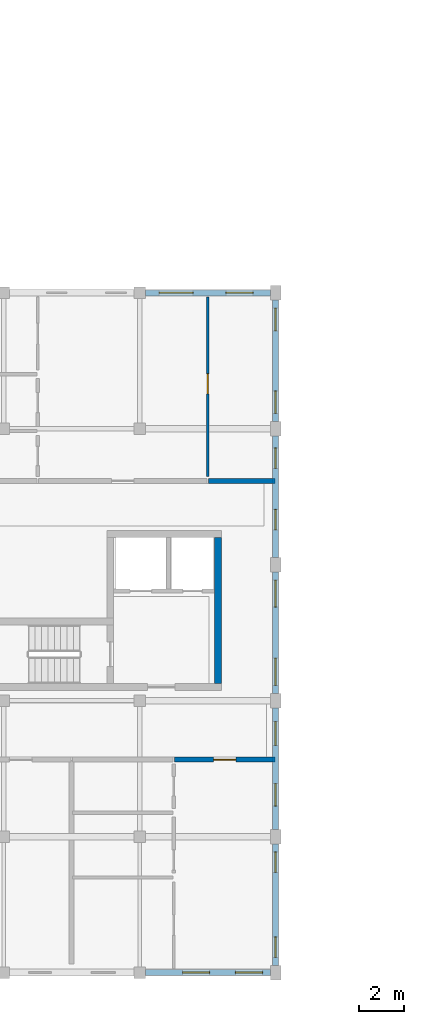
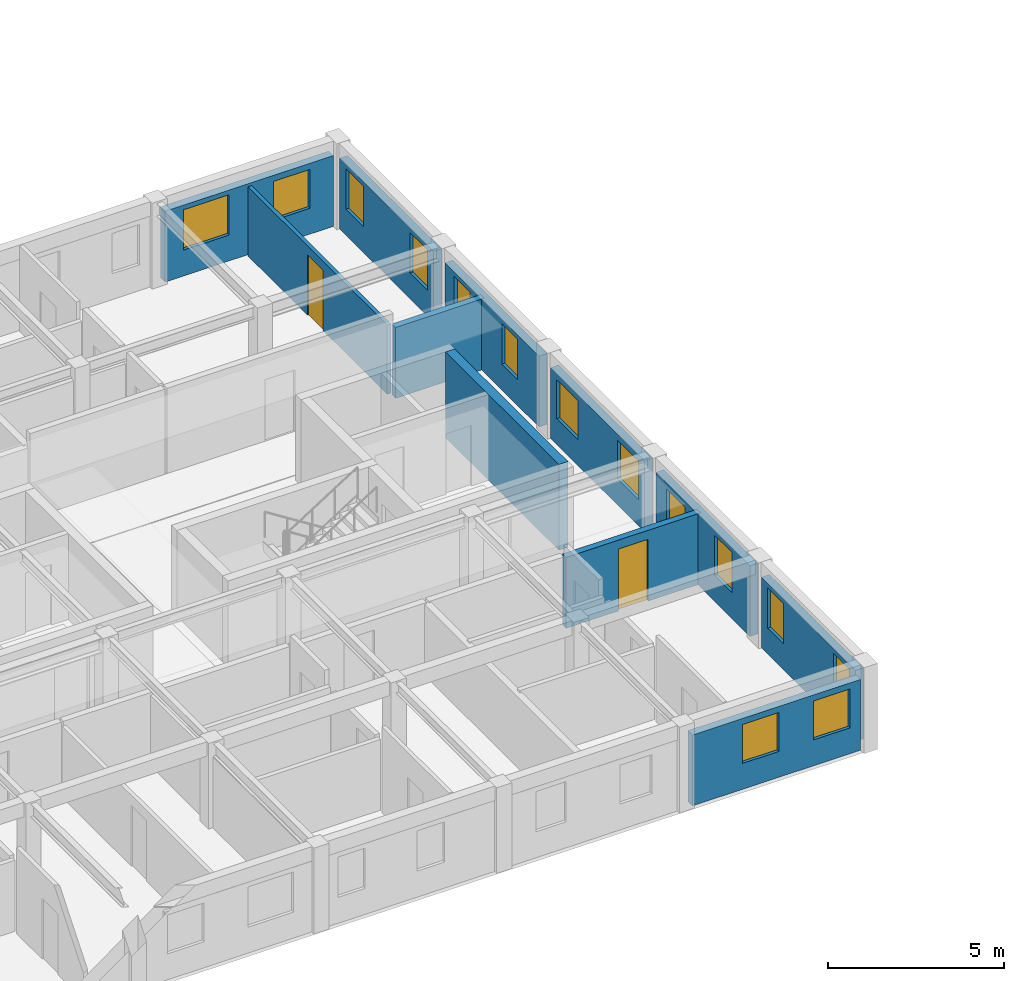
# One storey, part 17 of 23: 14 windows, 11 walls, 2 doors, 16 openings.
"""IFC4 building model written with IfcOpenShell, lengths in metres."""

from ifc_helpers import new_model, si_unit, direction, frame, frame_2d, origin, place, context, subcontext, project, spatial, rectangle, extrude, material, layer, layer_set, type_object, element, fill, save


model = new_model("IFC4")

# Units and contexts
model_context = context("Model", 3, precision=1e-05, world=origin(), true_north=direction((0.0, 1.0)))
body_context = subcontext(model_context, "Body", "Model", "MODEL_VIEW")
ifc_project = project(units=[si_unit("LENGTHUNIT", "METRE"), si_unit("AREAUNIT", "SQUARE_METRE"), si_unit("VOLUMEUNIT", "CUBIC_METRE"), si_unit("PLANEANGLEUNIT", "RADIAN"), si_unit("MASSUNIT", "GRAM", prefix="KILO"), si_unit("POWERUNIT", "WATT"), si_unit("THERMODYNAMICTEMPERATUREUNIT", "KELVIN")], contexts=[model_context])

# Site, building, storey
site_placement = place(None, origin())
site = spatial("IfcSite", under=ifc_project, at=site_placement, CompositionType="ELEMENT")
building_placement = place(site_placement, origin())
building = spatial("IfcBuilding", under=site, at=building_placement, Name="Ruvembo Vaulted Housing Court", CompositionType="ELEMENT")
storey_placement = place(building_placement, frame((0.0, 0.0, 26.89990234375)))
storey = spatial("IfcBuildingStorey", under=building, at=storey_placement, Name="L08", CompositionType="ELEMENT", Elevation=26.89990234375)

# Wall
ifc_material_1 = material(Name="Concrete C35/45", Category="concrete")
ifc_layer_1 = layer(ifc_material_1, 0.300048828125, Name="Concrete C35/45")
ifc_layer_set_1 = layer_set([ifc_layer_1], Name="Concrete C35/45")
wall_type_1 = type_object("IfcWallType", Name="WL-CORE-300", PredefinedType="SHEAR", material=ifc_layer_set_1)
wall_1_placement = place(storey_placement, frame((129.449951171875, 12.75, 0.0), z_axis=(0.0, 0.0, 1.0), x_axis=(0.0, 1.0, 0.0)))
element("IfcWall", 1, at=wall_1_placement, inside=storey, type_object=wall_type_1, Name="Core C2 L08 East Shear Wall", PredefinedType="SHEAR", context=body_context, shape_type="SweptSolid", body=[
    extrude(rectangle(XDim=6.449951171875, YDim=0.300048828125, at=frame_2d((3.22509765625, 0.0))), origin(), (0.0, 0.0, 1.0), 2.97998046875),
])

# Wall, opening, door
ifc_material_2 = material(Name="Concrete Blockwork 210", Category="masonry")
ifc_layer_2 = layer(ifc_material_2, 0.2099609375, Name="Concrete Blockwork 210")
ifc_layer_set_2 = layer_set([ifc_layer_2], Name="Concrete Blockwork 210")
wall_type_2 = type_object("IfcWallType", Name="WL-CORR-210", PredefinedType="SOLIDWALL", material=ifc_layer_set_2)
wall_2_placement = place(storey_placement, frame((127.5400390625, 9.39990234375, 0.0), z_axis=(0.0, 0.0, 1.0), x_axis=(1.0, 0.0, 0.0)))
wall_2 = element("IfcWall", 2, at=wall_2_placement, inside=storey, type_object=wall_type_2, Name="L08 Flat C-L08-S3 Entrance WL-INT-L08-02107", PredefinedType="SOLIDWALL", context=body_context, shape_type="SweptSolid", body=[
    extrude(rectangle(XDim=4.419921875, YDim=0.2099609375, at=frame_2d((2.2099609375, 0.0))), origin(), (0.0, 0.0, 1.0), 2.462158203125),
])
opening_1_placement = place(wall_2_placement, frame((1.719970703125, 0.0, 0.0)))
opening_1 = element("IfcOpeningElement", 3, at=opening_1_placement, cuts=wall_2, Name="Opening FD2", PredefinedType="OPENING", context=body_context, shape_type="SweptSolid", body=[
    extrude(rectangle(XDim=0.97998046875, YDim=2.14990234375, at=frame_2d((0.489990234375, 1.074951171875))), frame((0.0, 0.114990234375, 0.0), z_axis=(0.0, -1.0, 0.0), x_axis=(1.0, 0.0, 0.0)), (0.0, 0.0, 1.0), 0.22998046875),
])
ifc_material_3 = material(Name="FSC Hardwood and Engineered Timber", Category="wood")
door_type_1 = type_object("IfcDoorType", Name="DR-FLAT-0980x2150", OperationType="NOTDEFINED", PredefinedType="DOOR", material=ifc_material_3)
door_1_placement = place(opening_1_placement, origin())
door_1 = element("IfcDoor", 4, at=door_1_placement, inside=storey, type_object=door_type_1, Name="L08 Flat C-L08-S3 Entrance Door DR-INT-L08-01174", OperationType="SINGLE_SWING_RIGHT", OverallHeight=2.14990234375, OverallWidth=0.97998046875, PredefinedType="DOOR", context=body_context, shape_type="SweptSolid", body=[
    extrude(rectangle(XDim=0.97998046875, YDim=2.14990234375, at=frame_2d((0.489990234375, 1.074951171875))), frame((0.0, 0.02490234375, 0.0), z_axis=(0.0, -1.0, 0.0), x_axis=(1.0, 0.0, 0.0)), (0.0, 0.0, 1.0), 0.050048828125),
])
fill(opening_1, door_1)

# Wall
wall_3_placement = place(storey_placement, frame((129.0400390625, 21.699951171875, 0.0), z_axis=(0.0, 0.0, 1.0), x_axis=(1.0, 0.0, 0.0)))
element("IfcWall", 5, at=wall_3_placement, inside=storey, type_object=wall_type_2, Name="L08 Flat C-L08-N2 Corridor Wall 2 WL-INT-L08-02130", PredefinedType="SOLIDWALL", context=body_context, shape_type="SweptSolid", body=[
    extrude(rectangle(XDim=2.919921875, YDim=0.2099609375, at=frame_2d((1.4599609375, 0.0))), origin(), (0.0, 0.0, 1.0), 2.462158203125),
])

# Wall, openings, windows
ifc_material_4 = material(Name="Rendered Masonry 260", Category="masonry")
ifc_layer_3 = layer(ifc_material_4, 0.260009765625, Name="Rendered Masonry 260")
ifc_layer_set_3 = layer_set([ifc_layer_3], Name="Rendered Masonry 260")
wall_type_3 = type_object("IfcWallType", Name="WL-EXT-260", PredefinedType="STANDARD", material=ifc_layer_set_3)
wall_4_placement = place(storey_placement, frame((126.25, 0.0, 0.0), z_axis=(0.0, 0.0, 1.0), x_axis=(1.0, 0.0, 0.0)))
wall_4 = element("IfcWall", 6, at=wall_4_placement, inside=storey, type_object=wall_type_3, Name="Block C L08 Exterior Wall STREET #5", PredefinedType="STANDARD", context=body_context, shape_type="SweptSolid", body=[
    extrude(rectangle(XDim=5.52490234375, YDim=0.260009765625, at=frame_2d((2.762451171875, 0.0))), origin(), (0.0, 0.0, 1.0), 2.462158203125),
])
opening_2_placement = place(wall_4_placement, frame((1.639892578125, 0.0, 0.89990234375)))
opening_2 = element("IfcOpeningElement", 7, at=opening_2_placement, cuts=wall_4, Name="Opening W12", PredefinedType="OPENING", context=body_context, shape_type="SweptSolid", body=[
    extrude(rectangle(XDim=1.199951171875, YDim=1.35009765625, at=frame_2d((0.60009765625, 0.675048828125))), frame((0.0, 0.139892578125, 0.0), z_axis=(0.0, -1.0, 0.0), x_axis=(1.0, 0.0, 0.0)), (0.0, 0.0, 1.0), 0.280029296875),
])
opening_3_placement = place(wall_4_placement, frame((3.97509765625, 0.0, 0.89990234375)))
opening_3 = element("IfcOpeningElement", 8, at=opening_3_placement, cuts=wall_4, Name="Opening W12", PredefinedType="OPENING", context=body_context, shape_type="SweptSolid", body=[
    extrude(rectangle(XDim=1.199951171875, YDim=1.35009765625, at=frame_2d((0.60009765625, 0.675048828125))), frame((0.0, 0.139892578125, 0.0), z_axis=(0.0, -1.0, 0.0), x_axis=(1.0, 0.0, 0.0)), (0.0, 0.0, 1.0), 0.280029296875),
])
ifc_material_5 = material(Name="Double Solar-Control Glazing in Aluminium Frame", Category="aluminium")
window_type_1 = type_object("IfcWindowType", Name="WIN-1200x1350", PartitioningType="SINGLE_PANEL", PredefinedType="WINDOW", material=ifc_material_5)
window_1_placement = place(opening_2_placement, origin())
window_1 = element("IfcWindow", 9, at=window_1_placement, inside=storey, type_object=window_type_1, Name="Block C L08 Window #1414", OverallHeight=1.35009765625, OverallWidth=1.199951171875, PartitioningType="SINGLE_PANEL", PredefinedType="WINDOW", context=body_context, shape_type="SweptSolid", body=[
    extrude(rectangle(XDim=1.199951171875, YDim=1.35009765625, at=frame_2d((0.60009765625, 0.675048828125))), frame((0.0, 0.030029296875, 0.0), z_axis=(0.0, -1.0, 0.0), x_axis=(1.0, 0.0, 0.0)), (0.0, 0.0, 1.0), 0.06005859375),
])
fill(opening_2, window_1)
window_2_placement = place(opening_3_placement, origin())
window_2 = element("IfcWindow", 10, at=window_2_placement, inside=storey, type_object=window_type_1, Name="Block C L08 Window #1415", OverallHeight=1.35009765625, OverallWidth=1.199951171875, PartitioningType="SINGLE_PANEL", PredefinedType="WINDOW", context=body_context, shape_type="SweptSolid", body=[
    extrude(rectangle(XDim=1.199951171875, YDim=1.35009765625, at=frame_2d((0.60009765625, 0.675048828125))), frame((0.0, 0.030029296875, 0.0), z_axis=(0.0, -1.0, 0.0), x_axis=(1.0, 0.0, 0.0)), (0.0, 0.0, 1.0), 0.06005859375),
])
fill(opening_3, window_2)

wall_5_placement = place(storey_placement, frame((132.0, 0.324951171875, 0.0), z_axis=(0.0, 0.0, 1.0), x_axis=(0.0, 1.0, 0.0)))
wall_5 = element("IfcWall", 11, at=wall_5_placement, inside=storey, type_object=wall_type_3, Name="Block C L08 Exterior Wall EAST #1", PredefinedType="STANDARD", context=body_context, shape_type="SweptSolid", body=[
    extrude(rectangle(XDim=5.35009765625, YDim=0.260009765625, at=frame_2d((2.675048828125, 0.0))), origin(), (0.0, 0.0, 1.0), 2.462158203125),
])
opening_4_placement = place(wall_5_placement, frame((0.35009765625, 0.0, 0.89990234375)))
opening_4 = element("IfcOpeningElement", 12, at=opening_4_placement, cuts=wall_5, Name="Opening W05", PredefinedType="OPENING", context=body_context, shape_type="SweptSolid", body=[
    extrude(rectangle(XDim=0.89990234375, YDim=1.39990234375, at=frame_2d((0.449951171875, 0.699951171875))), frame((0.0, 0.139892578125, 0.0), z_axis=(0.0, -1.0, 0.0), x_axis=(1.0, 0.0, 0.0)), (0.0, 0.0, 1.0), 0.280029296875),
])
opening_5_placement = place(wall_5_placement, frame((4.10009765625, 0.0, 0.89990234375)))
opening_5 = element("IfcOpeningElement", 13, at=opening_5_placement, cuts=wall_5, Name="Opening W05", PredefinedType="OPENING", context=body_context, shape_type="SweptSolid", body=[
    extrude(rectangle(XDim=0.89990234375, YDim=1.39990234375, at=frame_2d((0.449951171875, 0.699951171875))), frame((0.0, 0.139892578125, 0.0), z_axis=(0.0, -1.0, 0.0), x_axis=(1.0, 0.0, 0.0)), (0.0, 0.0, 1.0), 0.280029296875),
])
window_type_2 = type_object("IfcWindowType", Name="WIN-0900x1400", PartitioningType="SINGLE_PANEL", PredefinedType="WINDOW", material=ifc_material_5)
window_3_placement = place(opening_4_placement, origin())
window_3 = element("IfcWindow", 14, at=window_3_placement, inside=storey, type_object=window_type_2, Name="Block C L08 Window #1416", OverallHeight=1.39990234375, OverallWidth=0.89990234375, PartitioningType="SINGLE_PANEL", PredefinedType="WINDOW", context=body_context, shape_type="SweptSolid", body=[
    extrude(rectangle(XDim=0.89990234375, YDim=1.39990234375, at=frame_2d((0.449951171875, 0.699951171875))), frame((0.0, 0.030029296875, 0.0), z_axis=(0.0, -1.0, 0.0), x_axis=(1.0, 0.0, 0.0)), (0.0, 0.0, 1.0), 0.06005859375),
])
fill(opening_4, window_3)
window_4_placement = place(opening_5_placement, origin())
window_4 = element("IfcWindow", 15, at=window_4_placement, inside=storey, type_object=window_type_2, Name="Block C L08 Window #1417", OverallHeight=1.39990234375, OverallWidth=0.89990234375, PartitioningType="SINGLE_PANEL", PredefinedType="WINDOW", context=body_context, shape_type="SweptSolid", body=[
    extrude(rectangle(XDim=0.89990234375, YDim=1.39990234375, at=frame_2d((0.449951171875, 0.699951171875))), frame((0.0, 0.030029296875, 0.0), z_axis=(0.0, -1.0, 0.0), x_axis=(1.0, 0.0, 0.0)), (0.0, 0.0, 1.0), 0.06005859375),
])
fill(opening_5, window_4)

wall_6_placement = place(storey_placement, frame((132.0, 6.324951171875, 0.0), z_axis=(0.0, 0.0, 1.0), x_axis=(0.0, 1.0, 0.0)))
wall_6 = element("IfcWall", 16, at=wall_6_placement, inside=storey, type_object=wall_type_3, Name="Block C L08 Exterior Wall EAST #2", PredefinedType="STANDARD", context=body_context, shape_type="SweptSolid", body=[
    extrude(rectangle(XDim=5.35009765625, YDim=0.260009765625, at=frame_2d((2.675048828125, 0.0))), origin(), (0.0, 0.0, 1.0), 2.462158203125),
])
opening_6_placement = place(wall_6_placement, frame((1.017578125, 0.0, 0.89990234375)))
opening_6 = element("IfcOpeningElement", 17, at=opening_6_placement, cuts=wall_6, Name="Opening W08", PredefinedType="OPENING", context=body_context, shape_type="SweptSolid", body=[
    extrude(rectangle(XDim=1.0, YDim=1.39990234375, at=frame_2d((0.5, 0.699951171875))), frame((0.0, 0.139892578125, 0.0), z_axis=(0.0, -1.0, 0.0), x_axis=(1.0, 0.0, 0.0)), (0.0, 0.0, 1.0), 0.280029296875),
])
opening_7_placement = place(wall_6_placement, frame((3.70751953125, 0.0, 0.89990234375)))
opening_7 = element("IfcOpeningElement", 18, at=opening_7_placement, cuts=wall_6, Name="Opening W09", PredefinedType="OPENING", context=body_context, shape_type="SweptSolid", body=[
    extrude(rectangle(XDim=1.050048828125, YDim=1.35009765625, at=frame_2d((0.52490234375, 0.675048828125))), frame((0.0, 0.139892578125, 0.0), z_axis=(0.0, -1.0, 0.0), x_axis=(1.0, 0.0, 0.0)), (0.0, 0.0, 1.0), 0.280029296875),
])
window_type_3 = type_object("IfcWindowType", Name="WIN-1000x1400", PartitioningType="SINGLE_PANEL", PredefinedType="WINDOW", material=ifc_material_5)
window_5_placement = place(opening_6_placement, origin())
window_5 = element("IfcWindow", 19, at=window_5_placement, inside=storey, type_object=window_type_3, Name="Block C L08 Window #1418", OverallHeight=1.39990234375, OverallWidth=1.0, PartitioningType="SINGLE_PANEL", PredefinedType="WINDOW", context=body_context, shape_type="SweptSolid", body=[
    extrude(rectangle(XDim=1.0, YDim=1.39990234375, at=frame_2d((0.5, 0.699951171875))), frame((0.0, 0.030029296875, 0.0), z_axis=(0.0, -1.0, 0.0), x_axis=(1.0, 0.0, 0.0)), (0.0, 0.0, 1.0), 0.06005859375),
])
fill(opening_6, window_5)
window_type_4 = type_object("IfcWindowType", Name="WIN-1050x1350", PartitioningType="SINGLE_PANEL", PredefinedType="WINDOW", material=ifc_material_5)
window_6_placement = place(opening_7_placement, origin())
window_6 = element("IfcWindow", 20, at=window_6_placement, inside=storey, type_object=window_type_4, Name="Block C L08 Window #1419", OverallHeight=1.35009765625, OverallWidth=1.050048828125, PartitioningType="SINGLE_PANEL", PredefinedType="WINDOW", context=body_context, shape_type="SweptSolid", body=[
    extrude(rectangle(XDim=1.050048828125, YDim=1.35009765625, at=frame_2d((0.52490234375, 0.675048828125))), frame((0.0, 0.030029296875, 0.0), z_axis=(0.0, -1.0, 0.0), x_axis=(1.0, 0.0, 0.0)), (0.0, 0.0, 1.0), 0.06005859375),
])
fill(opening_7, window_6)

wall_7_placement = place(storey_placement, frame((132.0, 12.324951171875, 0.0), z_axis=(0.0, 0.0, 1.0), x_axis=(0.0, 1.0, 0.0)))
wall_7 = element("IfcWall", 21, at=wall_7_placement, inside=storey, type_object=wall_type_3, Name="Block C L08 Exterior Wall EAST #3", PredefinedType="STANDARD", context=body_context, shape_type="SweptSolid", body=[
    extrude(rectangle(XDim=5.35009765625, YDim=0.260009765625, at=frame_2d((2.675048828125, 0.0))), origin(), (0.0, 0.0, 1.0), 2.462158203125),
])
opening_8_placement = place(wall_7_placement, frame((0.35009765625, 0.0, 0.89990234375)))
opening_8 = element("IfcOpeningElement", 22, at=opening_8_placement, cuts=wall_7, Name="Opening W12", PredefinedType="OPENING", context=body_context, shape_type="SweptSolid", body=[
    extrude(rectangle(XDim=1.199951171875, YDim=1.35009765625, at=frame_2d((0.60009765625, 0.675048828125))), frame((0.0, 0.139892578125, 0.0), z_axis=(0.0, -1.0, 0.0), x_axis=(1.0, 0.0, 0.0)), (0.0, 0.0, 1.0), 0.280029296875),
])
opening_9_placement = place(wall_7_placement, frame((3.800048828125, 0.0, 0.89990234375)))
opening_9 = element("IfcOpeningElement", 23, at=opening_9_placement, cuts=wall_7, Name="Opening W12", PredefinedType="OPENING", context=body_context, shape_type="SweptSolid", body=[
    extrude(rectangle(XDim=1.199951171875, YDim=1.35009765625, at=frame_2d((0.60009765625, 0.675048828125))), frame((0.0, 0.139892578125, 0.0), z_axis=(0.0, -1.0, 0.0), x_axis=(1.0, 0.0, 0.0)), (0.0, 0.0, 1.0), 0.280029296875),
])
window_7_placement = place(opening_8_placement, origin())
window_7 = element("IfcWindow", 24, at=window_7_placement, inside=storey, type_object=window_type_1, Name="Block C L08 Window #1420", OverallHeight=1.35009765625, OverallWidth=1.199951171875, PartitioningType="SINGLE_PANEL", PredefinedType="WINDOW", context=body_context, shape_type="SweptSolid", body=[
    extrude(rectangle(XDim=1.199951171875, YDim=1.35009765625, at=frame_2d((0.60009765625, 0.675048828125))), frame((0.0, 0.030029296875, 0.0), z_axis=(0.0, -1.0, 0.0), x_axis=(1.0, 0.0, 0.0)), (0.0, 0.0, 1.0), 0.06005859375),
])
fill(opening_8, window_7)
window_8_placement = place(opening_9_placement, origin())
window_8 = element("IfcWindow", 25, at=window_8_placement, inside=storey, type_object=window_type_1, Name="Block C L08 Window #1421", OverallHeight=1.35009765625, OverallWidth=1.199951171875, PartitioningType="SINGLE_PANEL", PredefinedType="WINDOW", context=body_context, shape_type="SweptSolid", body=[
    extrude(rectangle(XDim=1.199951171875, YDim=1.35009765625, at=frame_2d((0.60009765625, 0.675048828125))), frame((0.0, 0.030029296875, 0.0), z_axis=(0.0, -1.0, 0.0), x_axis=(1.0, 0.0, 0.0)), (0.0, 0.0, 1.0), 0.06005859375),
])
fill(opening_9, window_8)

wall_8_placement = place(storey_placement, frame((132.0, 18.324951171875, 0.0), z_axis=(0.0, 0.0, 1.0), x_axis=(0.0, 1.0, 0.0)))
wall_8 = element("IfcWall", 26, at=wall_8_placement, inside=storey, type_object=wall_type_3, Name="Block C L08 Exterior Wall EAST #4", PredefinedType="STANDARD", context=body_context, shape_type="SweptSolid", body=[
    extrude(rectangle(XDim=5.35009765625, YDim=0.260009765625, at=frame_2d((2.675048828125, 0.0))), origin(), (0.0, 0.0, 1.0), 2.462158203125),
])
opening_10_placement = place(wall_8_placement, frame((1.217529296875, 0.0, 0.89990234375)))
opening_10 = element("IfcOpeningElement", 27, at=opening_10_placement, cuts=wall_8, Name="Opening W05", PredefinedType="OPENING", context=body_context, shape_type="SweptSolid", body=[
    extrude(rectangle(XDim=0.89990234375, YDim=1.39990234375, at=frame_2d((0.449951171875, 0.699951171875))), frame((0.0, 0.139892578125, 0.0), z_axis=(0.0, -1.0, 0.0), x_axis=(1.0, 0.0, 0.0)), (0.0, 0.0, 1.0), 0.280029296875),
])
opening_11_placement = place(wall_8_placement, frame((3.9326171875, 0.0, 0.89990234375)))
opening_11 = element("IfcOpeningElement", 28, at=opening_11_placement, cuts=wall_8, Name="Opening W05", PredefinedType="OPENING", context=body_context, shape_type="SweptSolid", body=[
    extrude(rectangle(XDim=0.89990234375, YDim=1.39990234375, at=frame_2d((0.449951171875, 0.699951171875))), frame((0.0, 0.139892578125, 0.0), z_axis=(0.0, -1.0, 0.0), x_axis=(1.0, 0.0, 0.0)), (0.0, 0.0, 1.0), 0.280029296875),
])
window_9_placement = place(opening_10_placement, origin())
window_9 = element("IfcWindow", 29, at=window_9_placement, inside=storey, type_object=window_type_2, Name="Block C L08 Window #1422", OverallHeight=1.39990234375, OverallWidth=0.89990234375, PartitioningType="SINGLE_PANEL", PredefinedType="WINDOW", context=body_context, shape_type="SweptSolid", body=[
    extrude(rectangle(XDim=0.89990234375, YDim=1.39990234375, at=frame_2d((0.449951171875, 0.699951171875))), frame((0.0, 0.030029296875, 0.0), z_axis=(0.0, -1.0, 0.0), x_axis=(1.0, 0.0, 0.0)), (0.0, 0.0, 1.0), 0.06005859375),
])
fill(opening_10, window_9)
window_10_placement = place(opening_11_placement, origin())
window_10 = element("IfcWindow", 30, at=window_10_placement, inside=storey, type_object=window_type_2, Name="Block C L08 Window #1423", OverallHeight=1.39990234375, OverallWidth=0.89990234375, PartitioningType="SINGLE_PANEL", PredefinedType="WINDOW", context=body_context, shape_type="SweptSolid", body=[
    extrude(rectangle(XDim=0.89990234375, YDim=1.39990234375, at=frame_2d((0.449951171875, 0.699951171875))), frame((0.0, 0.030029296875, 0.0), z_axis=(0.0, -1.0, 0.0), x_axis=(1.0, 0.0, 0.0)), (0.0, 0.0, 1.0), 0.06005859375),
])
fill(opening_11, window_10)

wall_9_placement = place(storey_placement, frame((132.0, 24.324951171875, 0.0), z_axis=(0.0, 0.0, 1.0), x_axis=(0.0, 1.0, 0.0)))
wall_9 = element("IfcWall", 31, at=wall_9_placement, inside=storey, type_object=wall_type_3, Name="Block C L08 Exterior Wall EAST #5", PredefinedType="STANDARD", context=body_context, shape_type="SweptSolid", body=[
    extrude(rectangle(XDim=5.35009765625, YDim=0.260009765625, at=frame_2d((2.675048828125, 0.0))), origin(), (0.0, 0.0, 1.0), 2.462158203125),
])
opening_12_placement = place(wall_9_placement, frame((0.35009765625, 0.0, 0.89990234375)))
opening_12 = element("IfcOpeningElement", 32, at=opening_12_placement, cuts=wall_9, Name="Opening W08", PredefinedType="OPENING", context=body_context, shape_type="SweptSolid", body=[
    extrude(rectangle(XDim=1.0, YDim=1.39990234375, at=frame_2d((0.5, 0.699951171875))), frame((0.0, 0.139892578125, 0.0), z_axis=(0.0, -1.0, 0.0), x_axis=(1.0, 0.0, 0.0)), (0.0, 0.0, 1.0), 0.280029296875),
])
opening_13_placement = place(wall_9_placement, frame((4.0, 0.0, 0.89990234375)))
opening_13 = element("IfcOpeningElement", 33, at=opening_13_placement, cuts=wall_9, Name="Opening W08", PredefinedType="OPENING", context=body_context, shape_type="SweptSolid", body=[
    extrude(rectangle(XDim=1.0, YDim=1.39990234375, at=frame_2d((0.5, 0.699951171875))), frame((0.0, 0.139892578125, 0.0), z_axis=(0.0, -1.0, 0.0), x_axis=(1.0, 0.0, 0.0)), (0.0, 0.0, 1.0), 0.280029296875),
])
window_11_placement = place(opening_12_placement, origin())
window_11 = element("IfcWindow", 34, at=window_11_placement, inside=storey, type_object=window_type_3, Name="Block C L08 Window #1424", OverallHeight=1.39990234375, OverallWidth=1.0, PartitioningType="SINGLE_PANEL", PredefinedType="WINDOW", context=body_context, shape_type="SweptSolid", body=[
    extrude(rectangle(XDim=1.0, YDim=1.39990234375, at=frame_2d((0.5, 0.699951171875))), frame((0.0, 0.030029296875, 0.0), z_axis=(0.0, -1.0, 0.0), x_axis=(1.0, 0.0, 0.0)), (0.0, 0.0, 1.0), 0.06005859375),
])
fill(opening_12, window_11)
window_12_placement = place(opening_13_placement, origin())
window_12 = element("IfcWindow", 35, at=window_12_placement, inside=storey, type_object=window_type_3, Name="Block C L08 Window #1425", OverallHeight=1.39990234375, OverallWidth=1.0, PartitioningType="SINGLE_PANEL", PredefinedType="WINDOW", context=body_context, shape_type="SweptSolid", body=[
    extrude(rectangle(XDim=1.0, YDim=1.39990234375, at=frame_2d((0.5, 0.699951171875))), frame((0.0, 0.030029296875, 0.0), z_axis=(0.0, -1.0, 0.0), x_axis=(1.0, 0.0, 0.0)), (0.0, 0.0, 1.0), 0.06005859375),
])
fill(opening_13, window_12)

wall_10_placement = place(storey_placement, frame((131.77490234375, 30.0, 0.0), z_axis=(0.0, 0.0, 1.0), x_axis=(-1.0, 0.0, 0.0)))
wall_10 = element("IfcWall", 36, at=wall_10_placement, inside=storey, type_object=wall_type_3, Name="Block C L08 Exterior Wall COURTYARD #1", PredefinedType="STANDARD", context=body_context, shape_type="SweptSolid", body=[
    extrude(rectangle(XDim=5.52490234375, YDim=0.260009765625, at=frame_2d((2.762451171875, 0.0))), origin(), (0.0, 0.0, 1.0), 2.462158203125),
])
opening_14_placement = place(wall_10_placement, frame((0.767578125, 0.0, 0.89990234375)))
opening_14 = element("IfcOpeningElement", 37, at=opening_14_placement, cuts=wall_10, Name="Opening W12", PredefinedType="OPENING", context=body_context, shape_type="SweptSolid", body=[
    extrude(rectangle(XDim=1.199951171875, YDim=1.35009765625, at=frame_2d((0.60009765625, 0.675048828125))), frame((0.0, 0.139892578125, 0.0), z_axis=(0.0, -1.0, 0.0), x_axis=(1.0, 0.0, 0.0)), (0.0, 0.0, 1.0), 0.280029296875),
])
opening_15_placement = place(wall_10_placement, frame((3.419921875, 0.0, 0.89990234375)))
opening_15 = element("IfcOpeningElement", 38, at=opening_15_placement, cuts=wall_10, Name="Opening W18", PredefinedType="OPENING", context=body_context, shape_type="SweptSolid", body=[
    extrude(rectangle(XDim=1.5, YDim=1.39990234375, at=frame_2d((0.75, 0.699951171875))), frame((0.0, 0.139892578125, 0.0), z_axis=(0.0, -1.0, 0.0), x_axis=(1.0, 0.0, 0.0)), (0.0, 0.0, 1.0), 0.280029296875),
])
window_13_placement = place(opening_14_placement, origin())
window_13 = element("IfcWindow", 39, at=window_13_placement, inside=storey, type_object=window_type_1, Name="Block C L08 Window #1426", OverallHeight=1.35009765625, OverallWidth=1.199951171875, PartitioningType="SINGLE_PANEL", PredefinedType="WINDOW", context=body_context, shape_type="SweptSolid", body=[
    extrude(rectangle(XDim=1.199951171875, YDim=1.35009765625, at=frame_2d((0.60009765625, 0.675048828125))), frame((0.0, 0.030029296875, 0.0), z_axis=(0.0, -1.0, 0.0), x_axis=(1.0, 0.0, 0.0)), (0.0, 0.0, 1.0), 0.06005859375),
])
fill(opening_14, window_13)
window_type_5 = type_object("IfcWindowType", Name="WIN-1500x1400", PartitioningType="SINGLE_PANEL", PredefinedType="WINDOW", material=ifc_material_5)
window_14_placement = place(opening_15_placement, origin())
window_14 = element("IfcWindow", 40, at=window_14_placement, inside=storey, type_object=window_type_5, Name="Block C L08 Window #1427", OverallHeight=1.39990234375, OverallWidth=1.5, PartitioningType="SINGLE_PANEL", PredefinedType="WINDOW", context=body_context, shape_type="SweptSolid", body=[
    extrude(rectangle(XDim=1.5, YDim=1.39990234375, at=frame_2d((0.75, 0.699951171875))), frame((0.0, 0.030029296875, 0.0), z_axis=(0.0, -1.0, 0.0), x_axis=(1.0, 0.0, 0.0)), (0.0, 0.0, 1.0), 0.06005859375),
])
fill(opening_15, window_14)

# Wall, opening, door
ifc_material_6 = material(Name="Plasterboard Stud Partition 125", Category="gypsum")
ifc_layer_4 = layer(ifc_material_6, 0.125, Name="Plasterboard Stud Partition 125")
ifc_layer_set_4 = layer_set([ifc_layer_4], Name="Plasterboard Stud Partition 125")
wall_type_4 = type_object("IfcWallType", Name="WL-PART-125", PredefinedType="PARTITIONING", material=ifc_layer_set_4)
wall_11_placement = place(storey_placement, frame((129.0, 21.889892578125, 0.0), z_axis=(0.0, 0.0, 1.0), x_axis=(0.0, 1.0, 0.0)))
wall_11 = element("IfcWall", 41, at=wall_11_placement, inside=storey, type_object=wall_type_4, Name="L08 Flat C-L08-N2 Bedroom 2 WL-INT-L08-02131", PredefinedType="PARTITIONING", context=body_context, shape_type="SweptSolid", body=[
    extrude(rectangle(XDim=7.920166015625, YDim=0.125, at=frame_2d((3.9599609375, 0.0))), origin(), (0.0, 0.0, 1.0), 2.408203125),
])
opening_16_placement = place(wall_11_placement, frame((3.64990234375, 0.0, 0.0)))
opening_16 = element("IfcOpeningElement", 42, at=opening_16_placement, cuts=wall_11, Name="Opening ID3", PredefinedType="OPENING", context=body_context, shape_type="SweptSolid", body=[
    extrude(rectangle(XDim=0.8798828125, YDim=2.10009765625, at=frame_2d((0.43994140625, 1.050048828125))), frame((0.0, 0.072509765625, 0.0), z_axis=(0.0, -1.0, 0.0), x_axis=(1.0, 0.0, 0.0)), (0.0, 0.0, 1.0), 0.14501953125),
])
door_type_2 = type_object("IfcDoorType", Name="DR-ROOM-0880x2100", OperationType="NOTDEFINED", PredefinedType="DOOR", material=ifc_material_3)
door_2_placement = place(opening_16_placement, origin())
door_2 = element("IfcDoor", 43, at=door_2_placement, inside=storey, type_object=door_type_2, Name="L08 Flat C-L08-N2 Bedroom 2 Door DR-INT-L08-01187", OperationType="SINGLE_SWING_LEFT", OverallHeight=2.10009765625, OverallWidth=0.8798828125, PredefinedType="DOOR", context=body_context, shape_type="SweptSolid", body=[
    extrude(rectangle(XDim=0.8798828125, YDim=2.10009765625, at=frame_2d((0.43994140625, 1.050048828125))), frame((0.0, 0.02490234375, 0.0), z_axis=(0.0, -1.0, 0.0), x_axis=(1.0, 0.0, 0.0)), (0.0, 0.0, 1.0), 0.050048828125),
])
fill(opening_16, door_2)

save(model, "model.ifc")
